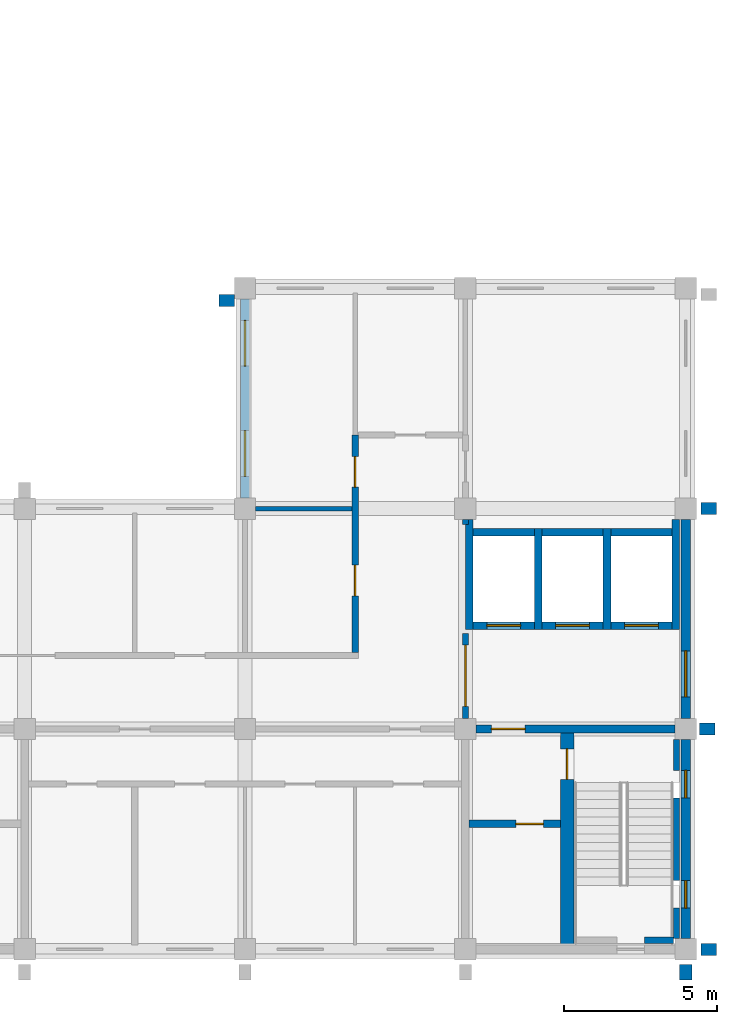
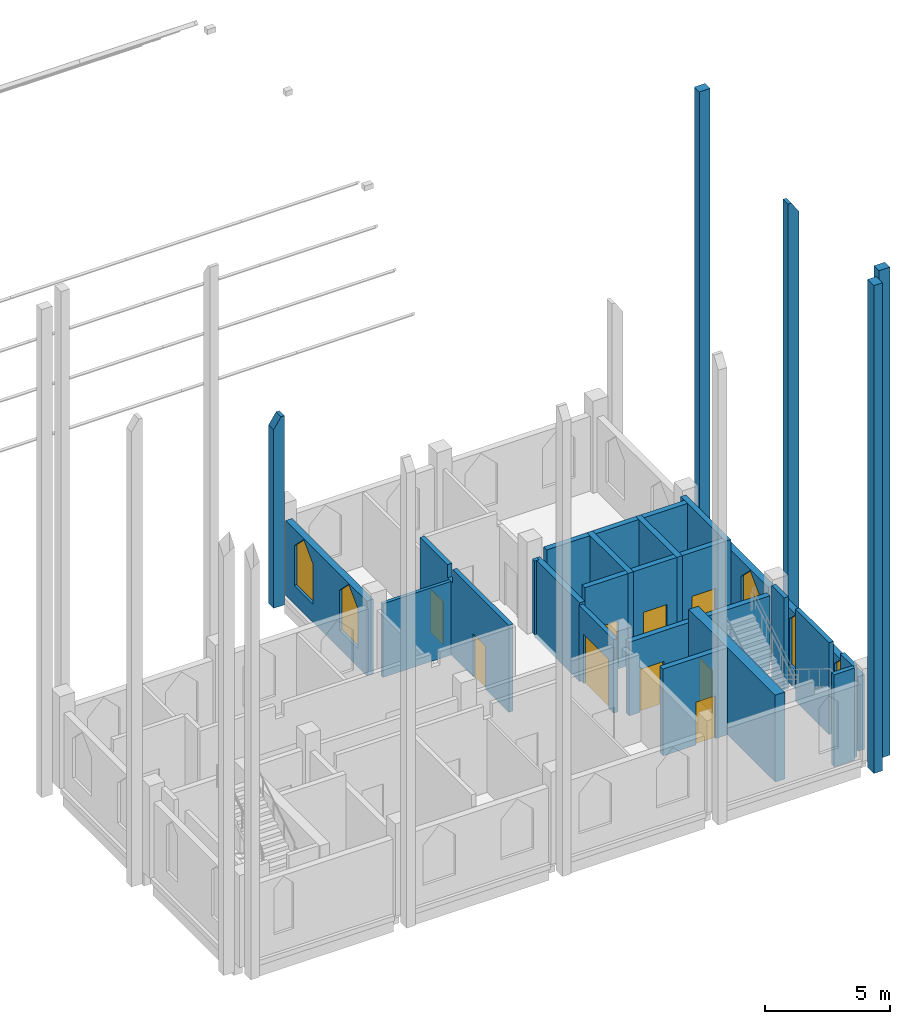
# One storey, part 5 of 7: 29 walls, 9 doors, 5 windows, 14 openings.
"""IFC4 building model written with IfcOpenShell, lengths in metres."""

from ifc_helpers import new_model, si_unit, direction, frame, frame_2d, origin, place, context, subcontext, project, spatial, polyline, rectangle, outline, extrude, material, layer, layer_set, type_object, element, fill, save


model = new_model("IFC4")

# Units and contexts
model_context = context("Model", 3, precision=1e-05, world=origin(), true_north=direction((0.0, 1.0)))
body_context = subcontext(model_context, "Body", "Model", "MODEL_VIEW")
ifc_project = project(units=[si_unit("LENGTHUNIT", "METRE"), si_unit("AREAUNIT", "SQUARE_METRE"), si_unit("VOLUMEUNIT", "CUBIC_METRE"), si_unit("PLANEANGLEUNIT", "RADIAN"), si_unit("MASSUNIT", "GRAM", prefix="KILO")], contexts=[model_context])

# Site, building, storey
site_placement = place(None, origin())
site = spatial("IfcSite", under=ifc_project, at=site_placement, CompositionType="ELEMENT")
building_placement = place(site_placement, origin())
building = spatial("IfcBuilding", under=site, at=building_placement, Name="Silangan Lancet Faculty of Sciences", CompositionType="ELEMENT")
storey_placement = place(building_placement, frame((0.0, 0.0, 58.800048828125)))
storey = spatial("IfcBuildingStorey", under=building, at=storey_placement, Name="L12", CompositionType="ELEMENT", Elevation=58.800048828125)

# Wall, opening, window
ifc_material_1 = material(Name="Concrete C40/50 precast", Category="concrete")
ifc_layer_1 = layer(ifc_material_1, 0.300048828125)
ifc_layer_set_1 = layer_set([ifc_layer_1], Name="Concrete C40/50 precast")
wall_type_1 = type_object("IfcWallType", Name="EW1 Precast cladding wall", PredefinedType="STANDARD", material=ifc_layer_set_1)
wall_1_placement = place(storey_placement, frame((28.800048828125, 7.550048828125, 0.0), z_axis=(0.0, 0.0, 1.0), x_axis=(0.0, 1.0, 0.0)))
wall_1 = element("IfcWall", 1, at=wall_1_placement, inside=storey, type_object=wall_type_1, Name="EW-L12-E-ST-01", PredefinedType="STANDARD", context=body_context, shape_type="SweptSolid", body=[
    extrude(rectangle(XDim=6.5, YDim=0.300048828125, at=frame_2d((3.25, 0.0))), origin(), (0.0, 0.0, 1.0), 3.64990234375),
])
opening_1_placement = place(wall_1_placement, frame((0.699951171875, 0.0, 0.89990234375)))
opening_1 = element("IfcOpeningElement", 2, at=opening_1_placement, cuts=wall_1, Name="Opening W23", PredefinedType="OPENING", context=body_context, shape_type="SweptSolid", body=[
    extrude(outline(polyline([(0.0, 0.0), (1.5, 0.0), (1.5, 1.949951171875), (0.75, 2.699951171875), (0.0, 1.949951171875), (0.0, 0.0)])), frame((0.0, 0.159912109375, 0.0), z_axis=(0.0, -1.0, 0.0), x_axis=(1.0, 0.0, 0.0)), (0.0, 0.0, 1.0), 0.320068359375),
])
ifc_material_2 = material(Name="Aluminium frame, laminated double glazing", Category="aluminium")
window_type_1 = type_object("IfcWindowType", Name="W23 Lancet window 1500 x 2700", PartitioningType="SINGLE_PANEL", PredefinedType="WINDOW", material=ifc_material_2)
window_1_placement = place(opening_1_placement, origin())
window_1 = element("IfcWindow", 3, at=window_1_placement, inside=storey, type_object=window_type_1, Name="WIN-L12-E-ST-01a", OverallHeight=2.699951171875, OverallWidth=1.5, PartitioningType="SINGLE_PANEL", PredefinedType="WINDOW", context=body_context, shape_type="SweptSolid", body=[
    extrude(outline(polyline([(0.0, 0.0), (1.5, 0.0), (1.5, 1.949951171875), (0.75, 2.699951171875), (0.0, 1.949951171875), (0.0, 0.0)])), frame((0.0, 0.030029296875, 0.0), z_axis=(0.0, -1.0, 0.0), x_axis=(1.0, 0.0, 0.0)), (0.0, 0.0, 1.0), 0.06005859375),
])
fill(opening_1, window_1)

# Wall, openings, windows
wall_2_placement = place(storey_placement, frame((14.39990234375, 14.75, 0.0), z_axis=(0.0, 0.0, 1.0), x_axis=(0.0, 1.0, 0.0)))
wall_2 = element("IfcWall", 4, at=wall_2_placement, inside=storey, type_object=wall_type_1, Name="EW-L12-W-ST-R-00", PredefinedType="STANDARD", context=body_context, shape_type="SweptSolid", body=[
    extrude(rectangle(XDim=6.5, YDim=0.300048828125, at=frame_2d((3.25, 0.0))), origin(), (0.0, 0.0, 1.0), 3.64990234375),
])
opening_2_placement = place(wall_2_placement, frame((0.699951171875, 0.0, 0.89990234375)))
opening_2 = element("IfcOpeningElement", 5, at=opening_2_placement, cuts=wall_2, Name="Opening W23", PredefinedType="OPENING", context=body_context, shape_type="SweptSolid", body=[
    extrude(outline(polyline([(0.0, 0.0), (1.5, 0.0), (1.5, 1.949951171875), (0.75, 2.699951171875), (0.0, 1.949951171875), (0.0, 0.0)])), frame((0.0, 0.159912109375, 0.0), z_axis=(0.0, -1.0, 0.0), x_axis=(1.0, 0.0, 0.0)), (0.0, 0.0, 1.0), 0.320068359375),
])
opening_3_placement = place(wall_2_placement, frame((4.300048828125, 0.0, 0.89990234375)))
opening_3 = element("IfcOpeningElement", 6, at=opening_3_placement, cuts=wall_2, Name="Opening W23", PredefinedType="OPENING", context=body_context, shape_type="SweptSolid", body=[
    extrude(outline(polyline([(0.0, 0.0), (1.5, 0.0), (1.5, 1.949951171875), (0.75, 2.699951171875), (0.0, 1.949951171875), (0.0, 0.0)])), frame((0.0, 0.159912109375, 0.0), z_axis=(0.0, -1.0, 0.0), x_axis=(1.0, 0.0, 0.0)), (0.0, 0.0, 1.0), 0.320068359375),
])
window_2_placement = place(opening_2_placement, origin())
window_2 = element("IfcWindow", 7, at=window_2_placement, inside=storey, type_object=window_type_1, Name="WIN-L12-W-ST-R-00a", OverallHeight=2.699951171875, OverallWidth=1.5, PartitioningType="SINGLE_PANEL", PredefinedType="WINDOW", context=body_context, shape_type="SweptSolid", body=[
    extrude(outline(polyline([(0.0, 0.0), (1.5, 0.0), (1.5, 1.949951171875), (0.75, 2.699951171875), (0.0, 1.949951171875), (0.0, 0.0)])), frame((0.0, 0.030029296875, 0.0), z_axis=(0.0, -1.0, 0.0), x_axis=(1.0, 0.0, 0.0)), (0.0, 0.0, 1.0), 0.06005859375),
])
fill(opening_2, window_2)
window_3_placement = place(opening_3_placement, origin())
window_3 = element("IfcWindow", 8, at=window_3_placement, inside=storey, type_object=window_type_1, Name="WIN-L12-W-ST-R-00b", OverallHeight=2.699951171875, OverallWidth=1.5, PartitioningType="SINGLE_PANEL", PredefinedType="WINDOW", context=body_context, shape_type="SweptSolid", body=[
    extrude(outline(polyline([(0.0, 0.0), (1.5, 0.0), (1.5, 1.949951171875), (0.75, 2.699951171875), (0.0, 1.949951171875), (0.0, 0.0)])), frame((0.0, 0.030029296875, 0.0), z_axis=(0.0, -1.0, 0.0), x_axis=(1.0, 0.0, 0.0)), (0.0, 0.0, 1.0), 0.06005859375),
])
fill(opening_3, window_3)

ifc_material_3 = material(Name="Concrete C40/50 precast", Category="concrete")
ifc_layer_2 = layer(ifc_material_3, 0.300048828125)
ifc_layer_set_2 = layer_set([ifc_layer_2], Name="Concrete C40/50 precast")
wall_type_2 = type_object("IfcWallType", Name="EW2 Turret enclosure wall", PredefinedType="STANDARD", material=ifc_layer_set_2)
wall_3_placement = place(storey_placement, frame((28.800048828125, 0.35009765625, 0.0), z_axis=(0.0, 0.0, 1.0), x_axis=(0.0, 1.0, 0.0)))
wall_3 = element("IfcWall", 9, at=wall_3_placement, inside=storey, type_object=wall_type_2, Name="EW-L12-E-ST-00", PredefinedType="STANDARD", context=body_context, shape_type="SweptSolid", body=[
    extrude(rectangle(XDim=6.5, YDim=0.300048828125, at=frame_2d((3.25, 0.0))), origin(), (0.0, 0.0, 1.0), 3.64990234375),
])
opening_4_placement = place(wall_3_placement, frame((1.0, 0.0, 0.89990234375)))
opening_4 = element("IfcOpeningElement", 10, at=opening_4_placement, cuts=wall_3, Name="Opening W22", PredefinedType="OPENING", context=body_context, shape_type="SweptSolid", body=[
    extrude(outline(polyline([(0.0, 0.0), (0.89990234375, 0.0), (0.89990234375, 2.25), (0.449951171875, 2.699951171875), (0.0, 2.25), (0.0, 0.0)])), frame((0.0, 0.159912109375, 0.0), z_axis=(0.0, -1.0, 0.0), x_axis=(1.0, 0.0, 0.0)), (0.0, 0.0, 1.0), 0.320068359375),
])
opening_5_placement = place(wall_3_placement, frame((4.60009765625, 0.0, 0.89990234375)))
opening_5 = element("IfcOpeningElement", 11, at=opening_5_placement, cuts=wall_3, Name="Opening W22", PredefinedType="OPENING", context=body_context, shape_type="SweptSolid", body=[
    extrude(outline(polyline([(0.0, 0.0), (0.89990234375, 0.0), (0.89990234375, 2.25), (0.449951171875, 2.699951171875), (0.0, 2.25), (0.0, 0.0)])), frame((0.0, 0.159912109375, 0.0), z_axis=(0.0, -1.0, 0.0), x_axis=(1.0, 0.0, 0.0)), (0.0, 0.0, 1.0), 0.320068359375),
])
ifc_material_4 = material(Name="Aluminium frame, laminated double glazing", Category="aluminium")
window_type_2 = type_object("IfcWindowType", Name="W22 Lancet window 900 x 2700", PartitioningType="SINGLE_PANEL", PredefinedType="WINDOW", material=ifc_material_4)
window_4_placement = place(opening_4_placement, origin())
window_4 = element("IfcWindow", 12, at=window_4_placement, inside=storey, type_object=window_type_2, Name="WIN-L12-E-ST-00a", OverallHeight=2.699951171875, OverallWidth=0.89990234375, PartitioningType="SINGLE_PANEL", PredefinedType="WINDOW", context=body_context, shape_type="SweptSolid", body=[
    extrude(outline(polyline([(0.0, 0.0), (0.89990234375, 0.0), (0.89990234375, 2.25), (0.449951171875, 2.699951171875), (0.0, 2.25), (0.0, 0.0)])), frame((0.0, 0.030029296875, 0.0), z_axis=(0.0, -1.0, 0.0), x_axis=(1.0, 0.0, 0.0)), (0.0, 0.0, 1.0), 0.06005859375),
])
fill(opening_4, window_4)
window_5_placement = place(opening_5_placement, origin())
window_5 = element("IfcWindow", 13, at=window_5_placement, inside=storey, type_object=window_type_2, Name="WIN-L12-E-ST-00b", OverallHeight=2.699951171875, OverallWidth=0.89990234375, PartitioningType="SINGLE_PANEL", PredefinedType="WINDOW", context=body_context, shape_type="SweptSolid", body=[
    extrude(outline(polyline([(0.0, 0.0), (0.89990234375, 0.0), (0.89990234375, 2.25), (0.449951171875, 2.699951171875), (0.0, 2.25), (0.0, 0.0)])), frame((0.0, 0.030029296875, 0.0), z_axis=(0.0, -1.0, 0.0), x_axis=(1.0, 0.0, 0.0)), (0.0, 0.0, 1.0), 0.06005859375),
])
fill(opening_5, window_5)

# Walls
ifc_material_5 = material(Name="Concrete C40/50 precast", Category="concrete")
ifc_layer_3 = layer(ifc_material_5, 0.39990234375)
ifc_layer_set_3 = layer_set([ifc_layer_3], Name="Concrete C40/50 precast")
wall_type_3 = type_object("IfcWallType", Name="FN13 Buttress Fin column line stage 4 23850", PredefinedType="POLYGONAL", material=ifc_layer_set_3)
for number, where, z_axis, x_axis, name in (
    (14, (28.800048828125, -0.5, -0.25), (0.0, 0.0, 1.0), (0.0, -1.0, 0.0), "FINC-S-SAB-01-S4"),
    (15, (29.300048828125, 0.0, -0.25), (0.0, 0.0, 1.0), (1.0, 0.0, 0.0), "FINC-E-ST-01-S4"),
    (16, (29.300048828125, 14.39990234375, -0.25), (0.0, 0.0, 1.0), (1.0, 0.0, 0.0), "FINC-E-ST-03-S4"),
):
    element("IfcWall", number, at=place(storey_placement, frame(where, z_axis=z_axis, x_axis=x_axis)), inside=storey, type_object=wall_type_3, Name=name, PredefinedType="POLYGONAL", context=body_context, shape_type="SweptSolid", body=[
        extrude(outline(polyline([(0.5, 0.0), (0.5, 23.849853515625), (0.0, 23.849853515625), (0.0, 0.0), (0.5, 0.0)])), frame((0.0, 0.199951171875, 0.0), z_axis=(0.0, -1.0, 0.0), x_axis=(1.0, 0.0, 0.0)), (0.0, 0.0, 1.0), 0.39990234375),
    ])
ifc_material_6 = material(Name="Concrete C40/50 precast", Category="concrete")
ifc_layer_4 = layer(ifc_material_6, 0.39990234375)
ifc_layer_set_4 = layer_set([ifc_layer_4], Name="Concrete C40/50 precast")
wall_type_4 = type_object("IfcWallType", Name="FN35 Buttress Fin column line stage 4 9250", PredefinedType="POLYGONAL", material=ifc_layer_set_4)
wall_4_placement = place(storey_placement, frame((14.050048828125, 21.199951171875, -0.25), z_axis=(0.0, 0.0, 1.0), x_axis=(-1.0, 0.0, 0.0)))
element("IfcWall", 17, at=wall_4_placement, inside=storey, type_object=wall_type_4, Name="FINC-W-ST-R-01-S4", PredefinedType="POLYGONAL", context=body_context, shape_type="SweptSolid", body=[
    extrude(outline(polyline([(0.5, 0.0), (0.5, 8.724853515625), (0.14990234375, 9.25), (0.0, 9.25), (0.0, 0.0), (0.5, 0.0)])), frame((0.0, 0.199951171875, 0.0), z_axis=(0.0, -1.0, 0.0), x_axis=(1.0, 0.0, 0.0)), (0.0, 0.0, 1.0), 0.39990234375),
])
ifc_material_7 = material(Name="Concrete C40/50 precast", Category="concrete")
ifc_layer_5 = layer(ifc_material_7, 0.39990234375)
ifc_layer_set_5 = layer_set([ifc_layer_5], Name="Concrete C40/50 precast")
wall_type_5 = type_object("IfcWallType", Name="FN41 Buttress Fin column line stage 4 22750", PredefinedType="POLYGONAL", material=ifc_layer_set_5)
wall_5_placement = place(storey_placement, frame((29.25, 7.199951171875, -0.25), z_axis=(0.0, 0.0, 1.0), x_axis=(1.0, 0.0, 0.0)))
element("IfcWall", 18, at=wall_5_placement, inside=storey, type_object=wall_type_5, Name="FINC-E-ST-02-S4", PredefinedType="POLYGONAL", context=body_context, shape_type="SweptSolid", body=[
    extrude(outline(polyline([(0.5, 0.0), (0.5, 22.224853515625), (0.14990234375, 22.75), (0.0, 22.75), (0.0, 0.0), (0.5, 0.0)])), frame((0.0, 0.199951171875, 0.0), z_axis=(0.0, -1.0, 0.0), x_axis=(1.0, 0.0, 0.0)), (0.0, 0.0, 1.0), 0.39990234375),
])

# Wall, openings, doors
ifc_material_8 = material(Name="Hollow block masonry fm 7 MPa", Category="masonry")
ifc_layer_6 = layer(ifc_material_8, 0.199951171875)
ifc_layer_set_6 = layer_set([ifc_layer_6], Name="Hollow block masonry fm 7 MPa")
wall_type_6 = type_object("IfcWallType", Name="Interior wall PW1 Corridor wall CHB 200", PredefinedType="PARTITIONING", material=ifc_layer_set_6)
wall_6_placement = place(storey_placement, frame((18.0, 9.699951171875, 0.0), z_axis=(0.0, 0.0, 1.0), x_axis=(0.0, 1.0, 0.0)))
wall_6 = element("IfcWall", 19, at=wall_6_placement, inside=storey, type_object=wall_type_6, Name="Corridor wall CHB 200", PredefinedType="PARTITIONING", context=body_context, shape_type="SweptSolid", body=[
    extrude(outline(polyline([(0.0, 0.0), (7.10009765625, 0.0), (7.10009765625, 4.25), (4.89990234375, 4.25), (4.89990234375, 3.599853515625), (4.5, 3.599853515625), (4.5, 4.25), (0.0, 4.25), (0.0, 0.0)])), frame((0.0, 0.10009765625, 0.0), z_axis=(0.0, -1.0, 0.0), x_axis=(1.0, 0.0, 0.0)), (0.0, 0.0, 1.0), 0.199951171875),
])
opening_6_placement = place(wall_6_placement, frame((5.39990234375, 0.0, 0.0)))
opening_6 = element("IfcOpeningElement", 20, at=opening_6_placement, cuts=wall_6, Name="Opening L12-010", PredefinedType="OPENING", context=body_context, shape_type="SweptSolid", body=[
    extrude(rectangle(XDim=1.0, YDim=2.10009765625, at=frame_2d((0.5, 1.050048828125))), frame((0.0, 0.10986328125, 0.0), z_axis=(0.0, -1.0, 0.0), x_axis=(1.0, 0.0, 0.0)), (0.0, 0.0, 1.0), 0.219970703125),
])
opening_7_placement = place(wall_6_placement, frame((1.85009765625, 0.0, 0.0)))
opening_7 = element("IfcOpeningElement", 21, at=opening_7_placement, cuts=wall_6, Name="Opening L12-014", PredefinedType="OPENING", context=body_context, shape_type="SweptSolid", body=[
    extrude(rectangle(XDim=1.0, YDim=2.10009765625, at=frame_2d((0.5, 1.050048828125))), frame((0.0, 0.10986328125, 0.0), z_axis=(0.0, -1.0, 0.0), x_axis=(1.0, 0.0, 0.0)), (0.0, 0.0, 1.0), 0.219970703125),
])
ifc_material_9 = material(Name="Steel fire door set", Category="steel")
door_type_1 = type_object("IfcDoorType", Name="Door D1 Single leaf fire door 1000 x 2100", OperationType="SINGLE_SWING_LEFT", PredefinedType="DOOR", material=ifc_material_9)
door_1_placement = place(opening_6_placement, origin())
door_1 = element("IfcDoor", 22, at=door_1_placement, inside=storey, type_object=door_type_1, Name="Single leaf fire door 1000 x 2100", OperationType="SINGLE_SWING_RIGHT", OverallHeight=2.10009765625, OverallWidth=1.0, PredefinedType="DOOR", context=body_context, shape_type="SweptSolid", body=[
    extrude(rectangle(XDim=1.0, YDim=2.10009765625, at=frame_2d((0.5, 1.050048828125))), frame((0.0, 0.02490234375, 0.0), z_axis=(0.0, -1.0, 0.0), x_axis=(1.0, 0.0, 0.0)), (0.0, 0.0, 1.0), 0.050048828125),
])
fill(opening_6, door_1)
door_2_placement = place(opening_7_placement, origin())
door_2 = element("IfcDoor", 23, at=door_2_placement, inside=storey, type_object=door_type_1, Name="Single leaf fire door 1000 x 2100", OperationType="SINGLE_SWING_RIGHT", OverallHeight=2.10009765625, OverallWidth=1.0, PredefinedType="DOOR", context=body_context, shape_type="SweptSolid", body=[
    extrude(rectangle(XDim=1.0, YDim=2.10009765625, at=frame_2d((0.5, 1.050048828125))), frame((0.0, 0.02490234375, 0.0), z_axis=(0.0, -1.0, 0.0), x_axis=(1.0, 0.0, 0.0)), (0.0, 0.0, 1.0), 0.050048828125),
])
fill(opening_7, door_2)

# Walls
wall_7_placement = place(storey_placement, frame((21.60009765625, 13.875, 0.0), z_axis=(0.0, 0.0, 1.0), x_axis=(0.0, 1.0, 0.0)))
element("IfcWall", 24, at=wall_7_placement, inside=storey, type_object=wall_type_6, Name="Corridor wall CHB 200", PredefinedType="PARTITIONING", context=body_context, shape_type="SweptSolid", body=[
    extrude(rectangle(XDim=0.175048828125, YDim=0.199951171875, at=frame_2d((0.08740234375, 0.0))), origin(), (0.0, 0.0, 1.0), 3.599853515625),
])
ifc_material_10 = material(Name="Hollow block masonry fm 7 MPa", Category="masonry")
ifc_layer_7 = layer(ifc_material_10, 0.14990234375)
ifc_layer_set_7 = layer_set([ifc_layer_7], Name="Hollow block masonry fm 7 MPa")
wall_type_7 = type_object("IfcWallType", Name="Interior wall PW3 Partition CHB 150", PredefinedType="PARTITIONING", material=ifc_layer_set_7)
wall_8_placement = place(storey_placement, frame((14.75, 14.39990234375, 0.0), z_axis=(0.0, 0.0, 1.0), x_axis=(1.0, 0.0, 0.0)))
element("IfcWall", 25, at=wall_8_placement, inside=storey, type_object=wall_type_7, Name="Partition CHB 150", PredefinedType="PARTITIONING", context=body_context, shape_type="SweptSolid", body=[
    extrude(rectangle(XDim=3.14990234375, YDim=0.14990234375, at=frame_2d((1.574951171875, 0.0))), origin(), (0.0, 0.0, 1.0), 3.599853515625),
])

# Wall, opening, door
ifc_material_11 = material(Name="Hollow block masonry fm 7 MPa", Category="masonry")
ifc_layer_8 = layer(ifc_material_11, 0.199951171875)
ifc_layer_set_8 = layer_set([ifc_layer_8], Name="Hollow block masonry fm 7 MPa")
wall_type_8 = type_object("IfcWallType", Name="Interior wall PW9 Lift lobby wall CHB 200", PredefinedType="PARTITIONING", material=ifc_layer_set_8)
wall_9_placement = place(storey_placement, frame((21.60009765625, 7.550048828125, 0.0), z_axis=(0.0, 0.0, 1.0), x_axis=(0.0, 1.0, 0.0)))
wall_9 = element("IfcWall", 26, at=wall_9_placement, inside=storey, type_object=wall_type_8, Name="Lift lobby wall CHB 200", PredefinedType="PARTITIONING", context=body_context, shape_type="SweptSolid", body=[
    extrude(rectangle(XDim=2.77490234375, YDim=0.199951171875, at=frame_2d((1.387451171875, 0.0))), origin(), (0.0, 0.0, 1.0), 3.599853515625),
])
opening_8_placement = place(wall_9_placement, frame((0.387451171875, 0.0, 0.0)))
opening_8 = element("IfcOpeningElement", 27, at=opening_8_placement, cuts=wall_9, Name="Opening L12-001", PredefinedType="OPENING", context=body_context, shape_type="SweptSolid", body=[
    extrude(rectangle(XDim=2.0, YDim=2.39990234375, at=frame_2d((1.0, 1.199951171875))), frame((0.0, 0.10986328125, 0.0), z_axis=(0.0, -1.0, 0.0), x_axis=(1.0, 0.0, 0.0)), (0.0, 0.0, 1.0), 0.219970703125),
])
ifc_material_12 = material(Name="Steel fire door set", Category="steel")
door_type_2 = type_object("IfcDoorType", Name="Door D5 Lift lobby double fire door 2000 x 2400", OperationType="DOUBLE_DOOR_SINGLE_SWING", PredefinedType="DOOR", material=ifc_material_12)
door_3_placement = place(opening_8_placement, origin())
door_3 = element("IfcDoor", 28, at=door_3_placement, inside=storey, type_object=door_type_2, Name="Lift lobby double fire door 2000 x 2400", OperationType="DOUBLE_DOOR_SINGLE_SWING", OverallHeight=2.39990234375, OverallWidth=2.0, PredefinedType="DOOR", context=body_context, shape_type="SweptSolid", body=[
    extrude(rectangle(XDim=2.0, YDim=2.39990234375, at=frame_2d((1.0, 1.199951171875))), frame((0.0, 0.02490234375, 0.0), z_axis=(0.0, -1.0, 0.0), x_axis=(1.0, 0.0, 0.0)), (0.0, 0.0, 1.0), 0.050048828125),
])
fill(opening_8, door_3)

# Walls
ifc_material_13 = material(Name="Concrete C40/50", Category="concrete")
ifc_layer_9 = layer(ifc_material_13, 0.25)
ifc_layer_set_9 = layer_set([ifc_layer_9], Name="Concrete C40/50")
wall_type_9 = type_object("IfcWallType", Name="LIFT SHAFT WALL RC 250", PredefinedType="SHEAR", material=ifc_layer_set_9)
wall_10_placement = place(storey_placement, frame((21.72509765625, 10.449951171875, -0.25), z_axis=(0.0, 0.0, 1.0), x_axis=(0.0, 1.0, 0.0)))
element("IfcWall", 29, at=wall_10_placement, inside=storey, type_object=wall_type_9, Name="WALL-L12-ST-SW1", PredefinedType="SHEAR", context=body_context, shape_type="SweptSolid", body=[
    extrude(rectangle(XDim=3.60009765625, YDim=0.25, at=frame_2d((1.800048828125, 0.0))), origin(), (0.0, 0.0, 1.0), 3.849853515625),
])
for number, where, z_axis, x_axis, name in (
    (30, (23.97509765625, 10.449951171875, -0.25), (0.0, 0.0, 1.0), (0.0, 1.0, 0.0), "WALL-L12-ST-SW2"),
    (31, (26.22509765625, 10.449951171875, -0.25), (0.0, 0.0, 1.0), (0.0, 1.0, 0.0), "WALL-L12-ST-SW3"),
):
    element("IfcWall", number, at=place(storey_placement, frame(where, z_axis=z_axis, x_axis=x_axis)), inside=storey, type_object=wall_type_9, Name=name, PredefinedType="SHEAR", context=body_context, shape_type="SweptSolid", body=[
        extrude(rectangle(XDim=3.300048828125, YDim=0.25, at=frame_2d((1.64990234375, 0.0))), origin(), (0.0, 0.0, 1.0), 4.5),
    ])
wall_11_placement = place(storey_placement, frame((28.47509765625, 10.449951171875, -0.25), z_axis=(0.0, 0.0, 1.0), x_axis=(0.0, 1.0, 0.0)))
element("IfcWall", 32, at=wall_11_placement, inside=storey, type_object=wall_type_9, Name="WALL-L12-ST-SW4", PredefinedType="SHEAR", context=body_context, shape_type="SweptSolid", body=[
    extrude(rectangle(XDim=3.60009765625, YDim=0.25, at=frame_2d((1.800048828125, 0.0))), origin(), (0.0, 0.0, 1.0), 4.5),
])

# Wall, opening, door
wall_12_placement = place(storey_placement, frame((21.85009765625, 10.574951171875, -0.25), z_axis=(0.0, 0.0, 1.0), x_axis=(1.0, 0.0, 0.0)))
wall_12 = element("IfcWall", 33, at=wall_12_placement, inside=storey, type_object=wall_type_9, Name="WALL-L12-ST-L1-F", PredefinedType="SHEAR", context=body_context, shape_type="SweptSolid", body=[
    extrude(rectangle(XDim=2.0, YDim=0.25, at=frame_2d((1.0, 0.0))), origin(), (0.0, 0.0, 1.0), 4.5),
])
opening_9_placement = place(wall_12_placement, frame((0.449951171875, 0.0, 0.25)))
opening_9 = element("IfcOpeningElement", 34, at=opening_9_placement, cuts=wall_12, Name="Opening L12-801", PredefinedType="OPENING", context=body_context, shape_type="SweptSolid", body=[
    extrude(rectangle(XDim=1.10009765625, YDim=2.10009765625, at=frame_2d((0.550048828125, 1.050048828125))), frame((0.0, 0.135009765625, 0.0), z_axis=(0.0, -1.0, 0.0), x_axis=(1.0, 0.0, 0.0)), (0.0, 0.0, 1.0), 0.27001953125),
])
ifc_material_14 = material(Name="Stainless steel sliding door", Category="steel")
door_type_3 = type_object("IfcDoorType", Name="LD1 Lift landing door 1100x2100", OperationType="SLIDING_TO_LEFT", PredefinedType="DOOR", material=ifc_material_14)
door_4_placement = place(opening_9_placement, origin())
door_4 = element("IfcDoor", 35, at=door_4_placement, inside=storey, type_object=door_type_3, Name="Landing door ST-L1 L12", OperationType="SLIDING_TO_LEFT", OverallHeight=2.10009765625, OverallWidth=1.10009765625, PredefinedType="DOOR", context=body_context, shape_type="SweptSolid", body=[
    extrude(rectangle(XDim=1.10009765625, YDim=2.10009765625, at=frame_2d((0.550048828125, 1.050048828125))), frame((0.0, 0.02490234375, 0.0), z_axis=(0.0, -1.0, 0.0), x_axis=(1.0, 0.0, 0.0)), (0.0, 0.0, 1.0), 0.050048828125),
])
fill(opening_9, door_4)

# Wall
wall_13_placement = place(storey_placement, frame((21.85009765625, 13.625, -0.25), z_axis=(0.0, 0.0, 1.0), x_axis=(1.0, 0.0, 0.0)))
element("IfcWall", 36, at=wall_13_placement, inside=storey, type_object=wall_type_9, Name="WALL-L12-ST-L1-B", PredefinedType="SHEAR", context=body_context, shape_type="SweptSolid", body=[
    extrude(rectangle(XDim=2.0, YDim=0.25, at=frame_2d((1.0, 0.0))), origin(), (0.0, 0.0, 1.0), 4.5),
])

# Wall, opening, door
wall_14_placement = place(storey_placement, frame((24.10009765625, 10.574951171875, -0.25), z_axis=(0.0, 0.0, 1.0), x_axis=(1.0, 0.0, 0.0)))
wall_14 = element("IfcWall", 37, at=wall_14_placement, inside=storey, type_object=wall_type_9, Name="WALL-L12-ST-L2-F", PredefinedType="SHEAR", context=body_context, shape_type="SweptSolid", body=[
    extrude(rectangle(XDim=2.0, YDim=0.25, at=frame_2d((1.0, 0.0))), origin(), (0.0, 0.0, 1.0), 4.5),
])
opening_10_placement = place(wall_14_placement, frame((0.449951171875, 0.0, 0.25)))
opening_10 = element("IfcOpeningElement", 38, at=opening_10_placement, cuts=wall_14, Name="Opening L12-802", PredefinedType="OPENING", context=body_context, shape_type="SweptSolid", body=[
    extrude(rectangle(XDim=1.10009765625, YDim=2.10009765625, at=frame_2d((0.550048828125, 1.050048828125))), frame((0.0, 0.135009765625, 0.0), z_axis=(0.0, -1.0, 0.0), x_axis=(1.0, 0.0, 0.0)), (0.0, 0.0, 1.0), 0.27001953125),
])
door_5_placement = place(opening_10_placement, origin())
door_5 = element("IfcDoor", 39, at=door_5_placement, inside=storey, type_object=door_type_3, Name="Landing door ST-L2 L12", OperationType="SLIDING_TO_LEFT", OverallHeight=2.10009765625, OverallWidth=1.10009765625, PredefinedType="DOOR", context=body_context, shape_type="SweptSolid", body=[
    extrude(rectangle(XDim=1.10009765625, YDim=2.10009765625, at=frame_2d((0.550048828125, 1.050048828125))), frame((0.0, 0.02490234375, 0.0), z_axis=(0.0, -1.0, 0.0), x_axis=(1.0, 0.0, 0.0)), (0.0, 0.0, 1.0), 0.050048828125),
])
fill(opening_10, door_5)

# Wall
wall_15_placement = place(storey_placement, frame((24.10009765625, 13.625, -0.25), z_axis=(0.0, 0.0, 1.0), x_axis=(1.0, 0.0, 0.0)))
element("IfcWall", 40, at=wall_15_placement, inside=storey, type_object=wall_type_9, Name="WALL-L12-ST-L2-B", PredefinedType="SHEAR", context=body_context, shape_type="SweptSolid", body=[
    extrude(rectangle(XDim=2.0, YDim=0.25, at=frame_2d((1.0, 0.0))), origin(), (0.0, 0.0, 1.0), 4.5),
])

# Wall, opening, door
wall_16_placement = place(storey_placement, frame((26.35009765625, 10.574951171875, -0.25), z_axis=(0.0, 0.0, 1.0), x_axis=(1.0, 0.0, 0.0)))
wall_16 = element("IfcWall", 41, at=wall_16_placement, inside=storey, type_object=wall_type_9, Name="WALL-L12-ST-L3-F", PredefinedType="SHEAR", context=body_context, shape_type="SweptSolid", body=[
    extrude(rectangle(XDim=2.0, YDim=0.25, at=frame_2d((1.0, 0.0))), origin(), (0.0, 0.0, 1.0), 4.5),
])
opening_11_placement = place(wall_16_placement, frame((0.449951171875, 0.0, 0.25)))
opening_11 = element("IfcOpeningElement", 42, at=opening_11_placement, cuts=wall_16, Name="Opening L12-803", PredefinedType="OPENING", context=body_context, shape_type="SweptSolid", body=[
    extrude(rectangle(XDim=1.10009765625, YDim=2.10009765625, at=frame_2d((0.550048828125, 1.050048828125))), frame((0.0, 0.135009765625, 0.0), z_axis=(0.0, -1.0, 0.0), x_axis=(1.0, 0.0, 0.0)), (0.0, 0.0, 1.0), 0.27001953125),
])
door_6_placement = place(opening_11_placement, origin())
door_6 = element("IfcDoor", 43, at=door_6_placement, inside=storey, type_object=door_type_3, Name="Landing door ST-L3 L12", OperationType="SLIDING_TO_LEFT", OverallHeight=2.10009765625, OverallWidth=1.10009765625, PredefinedType="DOOR", context=body_context, shape_type="SweptSolid", body=[
    extrude(rectangle(XDim=1.10009765625, YDim=2.10009765625, at=frame_2d((0.550048828125, 1.050048828125))), frame((0.0, 0.02490234375, 0.0), z_axis=(0.0, -1.0, 0.0), x_axis=(1.0, 0.0, 0.0)), (0.0, 0.0, 1.0), 0.050048828125),
])
fill(opening_11, door_6)

# Wall
wall_17_placement = place(storey_placement, frame((26.35009765625, 13.625, -0.25), z_axis=(0.0, 0.0, 1.0), x_axis=(1.0, 0.0, 0.0)))
element("IfcWall", 44, at=wall_17_placement, inside=storey, type_object=wall_type_9, Name="WALL-L12-ST-L3-B", PredefinedType="SHEAR", context=body_context, shape_type="SweptSolid", body=[
    extrude(rectangle(XDim=2.0, YDim=0.25, at=frame_2d((1.0, 0.0))), origin(), (0.0, 0.0, 1.0), 4.5),
])

# Wall, opening, door
ifc_material_15 = material(Name="Concrete C40/50", Category="concrete")
ifc_layer_10 = layer(ifc_material_15, 0.449951171875)
ifc_layer_set_10 = layer_set([ifc_layer_10], Name="Concrete C40/50")
wall_type_10 = type_object("IfcWallType", Name="TURRET CORE WALL RC 450", PredefinedType="SHEAR", material=ifc_layer_set_10)
wall_18_placement = place(storey_placement, frame((24.925048828125, 0.14990234375, 0.0), z_axis=(0.0, 0.0, 1.0), x_axis=(0.0, 1.0, 0.0)))
wall_18 = element("IfcWall", 45, at=wall_18_placement, inside=storey, type_object=wall_type_10, Name="WALL-L12-ST-B-WELL", PredefinedType="SHEAR", context=body_context, shape_type="SweptSolid", body=[
    extrude(rectangle(XDim=6.925048828125, YDim=0.449951171875, at=frame_2d((3.46240234375, 0.0))), origin(), (0.0, 0.0, 1.0), 4.25),
])
opening_12_placement = place(wall_18_placement, frame((5.39990234375, 0.0, 0.0)))
opening_12 = element("IfcOpeningElement", 46, at=opening_12_placement, cuts=wall_18, Name="Opening L12-704", PredefinedType="OPENING", context=body_context, shape_type="SweptSolid", body=[
    extrude(rectangle(XDim=1.0, YDim=2.10009765625, at=frame_2d((0.5, 1.050048828125))), frame((0.0, 0.23486328125, 0.0), z_axis=(0.0, -1.0, 0.0), x_axis=(1.0, 0.0, 0.0)), (0.0, 0.0, 1.0), 0.469970703125),
])
ifc_material_16 = material(Name="Steel fire door set", Category="steel")
door_type_4 = type_object("IfcDoorType", Name="D71 Stair enclosure door 1000x2100", OperationType="SINGLE_SWING_LEFT", PredefinedType="DOOR", material=ifc_material_16)
door_7_placement = place(opening_12_placement, frame((1.0, 0.0, 0.0), z_axis=(0.0, 0.0, 1.0), x_axis=(-1.0, 0.0, 0.0)))
door_7 = element("IfcDoor", 47, at=door_7_placement, inside=storey, type_object=door_type_4, Name="Stair enclosure door ST-B L12", OperationType="SINGLE_SWING_LEFT", OverallHeight=2.10009765625, OverallWidth=1.0, PredefinedType="DOOR", context=body_context, shape_type="SweptSolid", body=[
    extrude(rectangle(XDim=1.0, YDim=2.10009765625, at=frame_2d((0.5, 1.050048828125))), frame((0.0, 0.025146484375, 0.0), z_axis=(0.0, -1.0, 0.0), x_axis=(1.0, 0.0, 0.0)), (0.0, 0.0, 1.0), 0.050048828125),
])
fill(opening_12, door_7)

# Walls
ifc_material_17 = material(Name="Concrete C40/50", Category="concrete")
ifc_layer_11 = layer(ifc_material_17, 0.199951171875)
ifc_layer_set_11 = layer_set([ifc_layer_11], Name="Concrete C40/50")
wall_type_11 = type_object("IfcWallType", Name="TURRET LINING WALL RC 200", PredefinedType="SHEAR", material=ifc_layer_set_11)
wall_19_placement = place(storey_placement, frame((28.5, 0.35009765625, -0.25), z_axis=(0.0, 0.0, 1.0), x_axis=(0.0, 1.0, 0.0)))
element("IfcWall", 48, at=wall_19_placement, inside=storey, type_object=wall_type_11, Name="WALL-L12-ST-B-WL", PredefinedType="SHEAR", context=body_context, shape_type="SweptSolid", body=[
    extrude(rectangle(XDim=1.0, YDim=0.199951171875, at=frame_2d((0.5, 0.0))), origin(), (0.0, 0.0, 1.0), 4.5),
])
wall_20_placement = place(storey_placement, frame((28.5, 2.25, -0.25), z_axis=(0.0, 0.0, 1.0), x_axis=(0.0, 1.0, 0.0)))
element("IfcWall", 49, at=wall_20_placement, inside=storey, type_object=wall_type_11, Name="WALL-L12-ST-B-WL-2", PredefinedType="SHEAR", context=body_context, shape_type="SweptSolid", body=[
    extrude(rectangle(XDim=2.699951171875, YDim=0.199951171875, at=frame_2d((1.35009765625, 0.0))), origin(), (0.0, 0.0, 1.0), 4.5),
])
wall_21_placement = place(storey_placement, frame((28.5, 5.85009765625, -0.25), z_axis=(0.0, 0.0, 1.0), x_axis=(0.0, 1.0, 0.0)))
element("IfcWall", 50, at=wall_21_placement, inside=storey, type_object=wall_type_11, Name="WALL-L12-ST-B-WL-3", PredefinedType="SHEAR", context=body_context, shape_type="SweptSolid", body=[
    extrude(rectangle(XDim=1.0, YDim=0.199951171875, at=frame_2d((0.5, 0.0))), origin(), (0.0, 0.0, 1.0), 4.5),
])
wall_22_placement = place(storey_placement, frame((27.449951171875, 0.300048828125, -0.25), z_axis=(0.0, 0.0, 1.0), x_axis=(1.0, 0.0, 0.0)))
element("IfcWall", 51, at=wall_22_placement, inside=storey, type_object=wall_type_11, Name="WALL-L12-ST-B-WLD-2", PredefinedType="SHEAR", context=body_context, shape_type="SweptSolid", body=[
    extrude(rectangle(XDim=0.949951171875, YDim=0.199951171875, at=frame_2d((0.47509765625, 0.0))), origin(), (0.0, 0.0, 1.0), 4.5),
])

# Wall, opening, door
ifc_material_18 = material(Name="Concrete C40/50", Category="concrete")
ifc_layer_12 = layer(ifc_material_18, 0.25)
ifc_layer_set_12 = layer_set([ifc_layer_12], Name="Concrete C40/50")
wall_type_12 = type_object("IfcWallType", Name="TURRET WALL RC 250", PredefinedType="SHEAR", material=ifc_layer_set_12)
wall_23_placement = place(storey_placement, frame((21.949951171875, 7.199951171875, 0.0), z_axis=(0.0, 0.0, 1.0), x_axis=(1.0, 0.0, 0.0)))
wall_23 = element("IfcWall", 52, at=wall_23_placement, inside=storey, type_object=wall_type_12, Name="WALL-L12-ST-B-V", PredefinedType="SHEAR", context=body_context, shape_type="SweptSolid", body=[
    extrude(rectangle(XDim=6.5, YDim=0.25, at=frame_2d((3.25, 0.0))), origin(), (0.0, 0.0, 1.0), 3.599853515625),
])
opening_13_placement = place(wall_23_placement, frame((0.5, 0.0, 0.0)))
opening_13 = element("IfcOpeningElement", 53, at=opening_13_placement, cuts=wall_23, Name="Opening L12-705", PredefinedType="OPENING", context=body_context, shape_type="SweptSolid", body=[
    extrude(rectangle(XDim=1.10009765625, YDim=2.10009765625, at=frame_2d((0.550048828125, 1.050048828125))), frame((0.0, 0.135009765625, 0.0), z_axis=(0.0, -1.0, 0.0), x_axis=(1.0, 0.0, 0.0)), (0.0, 0.0, 1.0), 0.27001953125),
])
ifc_material_19 = material(Name="Steel fire door set", Category="steel")
door_type_5 = type_object("IfcDoorType", Name="D70 Stair vestibule door 1100x2100", OperationType="SINGLE_SWING_LEFT", PredefinedType="DOOR", material=ifc_material_19)
door_8_placement = place(opening_13_placement, frame((1.10009765625, 0.0, 0.0), z_axis=(0.0, 0.0, 1.0), x_axis=(-1.0, 0.0, 0.0)))
door_8 = element("IfcDoor", 54, at=door_8_placement, inside=storey, type_object=door_type_5, Name="Stair vestibule door ST-B L12", OperationType="SINGLE_SWING_RIGHT", OverallHeight=2.10009765625, OverallWidth=1.10009765625, PredefinedType="DOOR", context=body_context, shape_type="SweptSolid", body=[
    extrude(rectangle(XDim=1.10009765625, YDim=2.10009765625, at=frame_2d((0.550048828125, 1.050048828125))), frame((0.0, 0.025146484375, 0.0), z_axis=(0.0, -1.0, 0.0), x_axis=(1.0, 0.0, 0.0)), (0.0, 0.0, 1.0), 0.050048828125),
])
fill(opening_13, door_8)

wall_24_placement = place(storey_placement, frame((21.72509765625, 4.10009765625, 0.0), z_axis=(0.0, 0.0, 1.0), x_axis=(1.0, 0.0, 0.0)))
wall_24 = element("IfcWall", 55, at=wall_24_placement, inside=storey, type_object=wall_type_12, Name="WALL-L12-ST-B-RISER", PredefinedType="SHEAR", context=body_context, shape_type="SweptSolid", body=[
    extrude(rectangle(XDim=2.974853515625, YDim=0.25, at=frame_2d((1.4873046875, 0.0))), origin(), (0.0, 0.0, 1.0), 4.25),
])
opening_14_placement = place(wall_24_placement, frame((1.52490234375, 0.0, 0.0)))
opening_14 = element("IfcOpeningElement", 56, at=opening_14_placement, cuts=wall_24, Name="Opening L12-706", PredefinedType="OPENING", context=body_context, shape_type="SweptSolid", body=[
    extrude(rectangle(XDim=0.89990234375, YDim=2.10009765625, at=frame_2d((0.449951171875, 1.050048828125))), frame((0.0, 0.135009765625, 0.0), z_axis=(0.0, -1.0, 0.0), x_axis=(1.0, 0.0, 0.0)), (0.0, 0.0, 1.0), 0.27001953125),
])
ifc_material_20 = material(Name="Steel fire door set", Category="steel")
door_type_6 = type_object("IfcDoorType", Name="D72 Riser access door 900x2100", OperationType="SINGLE_SWING_LEFT", PredefinedType="DOOR", material=ifc_material_20)
door_9_placement = place(opening_14_placement, frame((0.89990234375, 0.0, 0.0), z_axis=(0.0, 0.0, 1.0), x_axis=(-1.0, 0.0, 0.0)))
door_9 = element("IfcDoor", 57, at=door_9_placement, inside=storey, type_object=door_type_6, Name="Riser access door ST-B L12", OperationType="SINGLE_SWING_RIGHT", OverallHeight=2.10009765625, OverallWidth=0.89990234375, PredefinedType="DOOR", context=body_context, shape_type="SweptSolid", body=[
    extrude(rectangle(XDim=0.89990234375, YDim=2.10009765625, at=frame_2d((0.449951171875, 1.050048828125))), frame((0.0, 0.025146484375, 0.0), z_axis=(0.0, -1.0, 0.0), x_axis=(1.0, 0.0, 0.0)), (0.0, 0.0, 1.0), 0.050048828125),
])
fill(opening_14, door_9)

save(model, "model.ifc")
